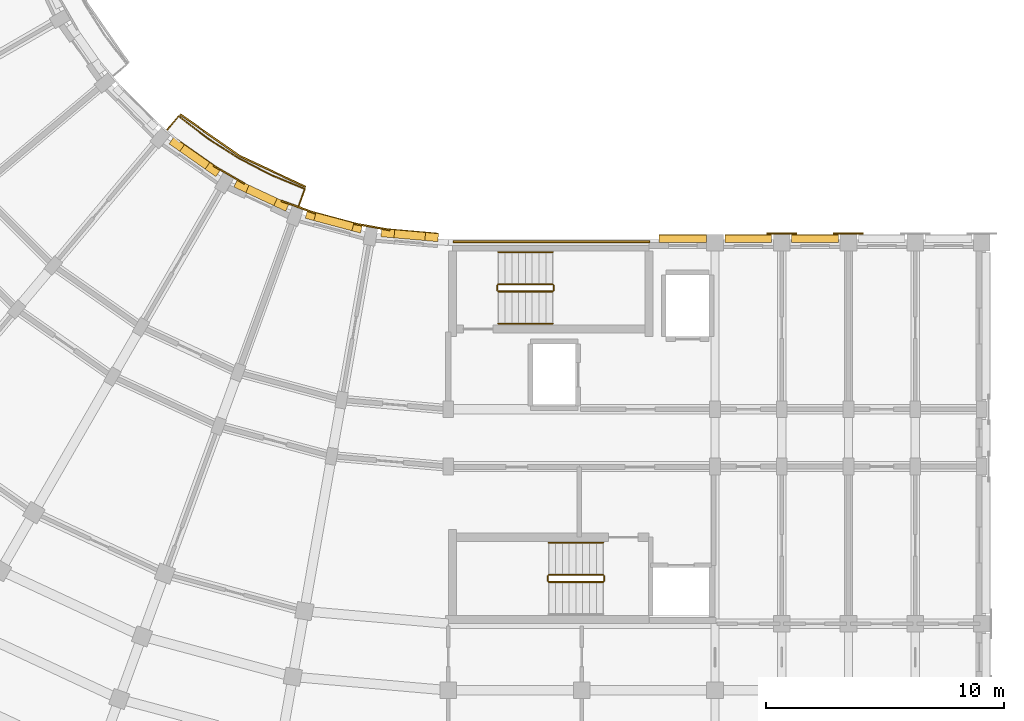
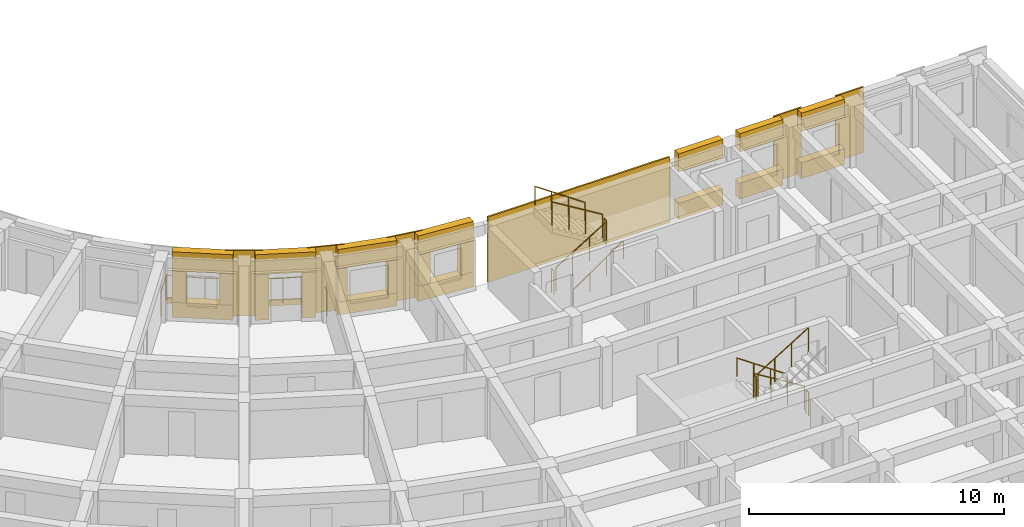
# One storey, part 42 of 57: 28 coverings, 12 railings.
"""IFC4 building model written with IfcOpenShell, lengths in metres."""

from ifc_helpers import new_model, si_unit, direction, frame, origin, origin_2d, place, context, subcontext, project, spatial, polyline, circle, outline, extrude, material, layer, layer_set, type_object, element, save


model = new_model("IFC4")

# Units and contexts
model_context = context("Model", 3, precision=1e-05, world=origin(), true_north=direction((0.0, 1.0)))
body_context = subcontext(model_context, "Body", "Model", "MODEL_VIEW")
ifc_project = project(units=[si_unit("LENGTHUNIT", "METRE"), si_unit("AREAUNIT", "SQUARE_METRE"), si_unit("VOLUMEUNIT", "CUBIC_METRE"), si_unit("PLANEANGLEUNIT", "RADIAN"), si_unit("MASSUNIT", "GRAM", prefix="KILO")], contexts=[model_context])

# Site, building, storey
site_placement = place(None, origin())
site = spatial("IfcSite", under=ifc_project, at=site_placement, CompositionType="ELEMENT")
building_placement = place(site_placement, origin())
building = spatial("IfcBuilding", under=site, at=building_placement, Name="Kiranvali Square Residences", CompositionType="ELEMENT")
storey_placement = place(building_placement, frame((0.0, 0.0, 18.14990234375)))
storey = spatial("IfcBuildingStorey", under=building, at=storey_placement, Name="L05", CompositionType="ELEMENT", Elevation=18.14990234375)

# Coverings
ifc_material_1 = material(Name="Carved Porbandar limestone classical entablature and cornice", Category="masonry")
ifc_layer_1 = layer(ifc_material_1, 0.06201171875)
ifc_layer_set_1 = layer_set([ifc_layer_1], Name="Carved Porbandar limestone classical entablature and cornice")
covering_type_1 = type_object("IfcCoveringType", Name="COV-CLAD-GBAL", PredefinedType="CLADDING", material=ifc_layer_set_1)
covering_1_placement = place(storey_placement, frame((0.0, 0.0, -0.219970703125)))
element("IfcCovering", 1, at=covering_1_placement, inside=storey, type_object=covering_type_1, Name="Block C L05 garden balcony limestone fascia 1", PredefinedType="CLADDING", context=body_context, shape_type="SweptSolid", body=[
    extrude(outline(polyline([(42.221435546875, 31.774169921875), (39.4599609375, 33.061767578125), (36.964111328125, 34.8095703125), (36.92041015625, 34.757568359375), (39.426025390625, 33.0029296875), (42.1982421875, 31.710205078125), (42.221435546875, 31.774169921875)])), origin(), (0.0, 0.0, 1.0), 0.27001953125),
])
ifc_material_2 = material(Name="Honed Porbandar limestone ashlar facade cladding", Category="masonry")
ifc_layer_2 = layer(ifc_material_2, 0.3798828125)
ifc_layer_set_2 = layer_set([ifc_layer_2], Name="Honed Porbandar limestone ashlar facade cladding")
covering_type_2 = type_object("IfcCoveringType", Name="COV-CLAD-JAMB", PredefinedType="CLADDING", material=ifc_layer_set_2)
covering_2_placement = place(storey_placement, frame((0.0, 0.0, 0.72216796875)))
element("IfcCovering", 2, at=covering_2_placement, inside=storey, type_object=covering_type_2, Name="L05 deep limestone window jamb reveal C-L05-GDN-00.L", PredefinedType="CLADDING", context=body_context, shape_type="SweptSolid", body=[
    extrude(outline(polyline([(47.791259765625, 29.777099609375), (47.244873046875, 29.824951171875), (47.21533203125, 29.486572265625), (47.76171875, 29.43896484375), (47.791259765625, 29.777099609375)])), origin(), (0.0, 0.0, 1.0), 1.5),
])
covering_3_placement = place(storey_placement, frame((0.0, 0.0, 0.72216796875)))
element("IfcCovering", 3, at=covering_3_placement, inside=storey, type_object=covering_type_2, Name="L05 deep limestone window jamb reveal C-L05-GDN-00.R", PredefinedType="CLADDING", context=body_context, shape_type="SweptSolid", body=[
    extrude(outline(polyline([(45.94970703125, 29.938232421875), (45.4033203125, 29.986083984375), (45.373779296875, 29.647705078125), (45.920166015625, 29.599853515625), (45.94970703125, 29.938232421875)])), origin(), (0.0, 0.0, 1.0), 1.5),
])
covering_4_placement = place(storey_placement, frame((0.0, 0.0, 0.6220703125)))
element("IfcCovering", 4, at=covering_4_placement, inside=storey, type_object=covering_type_2, Name="L05 deep limestone window jamb reveal C-L05-GDN-01.L", PredefinedType="CLADDING", context=body_context, shape_type="SweptSolid", body=[
    extrude(outline(polyline([(44.598388671875, 30.1279296875), (44.237548828125, 30.224609375), (44.149658203125, 29.896728515625), (44.510498046875, 29.800048828125), (44.598388671875, 30.1279296875)])), origin(), (0.0, 0.0, 1.0), 1.60009765625),
])
covering_5_placement = place(storey_placement, frame((0.0, 0.0, 0.6220703125)))
element("IfcCovering", 5, at=covering_5_placement, inside=storey, type_object=covering_type_2, Name="L05 deep limestone window jamb reveal C-L05-GDN-01.R", PredefinedType="CLADDING", context=body_context, shape_type="SweptSolid", body=[
    extrude(outline(polyline([(42.643798828125, 30.651611328125), (42.282958984375, 30.748291015625), (42.195068359375, 30.42041015625), (42.555908203125, 30.32373046875), (42.643798828125, 30.651611328125)])), origin(), (0.0, 0.0, 1.0), 1.60009765625),
])
covering_6_placement = place(storey_placement, origin())
element("IfcCovering", 6, at=covering_6_placement, inside=storey, type_object=covering_type_2, Name="L05 deep limestone window jamb reveal C-L05-GDN-02.L", PredefinedType="CLADDING", context=body_context, shape_type="SweptSolid", body=[
    extrude(outline(polyline([(41.514892578125, 31.02783203125), (41.017822265625, 31.259765625), (40.874267578125, 30.951904296875), (41.37158203125, 30.72021484375), (41.514892578125, 31.02783203125)])), origin(), (0.0, 0.0, 1.0), 2.18017578125),
])
covering_7_placement = place(storey_placement, origin())
element("IfcCovering", 7, at=covering_7_placement, inside=storey, type_object=covering_type_2, Name="L05 deep limestone window jamb reveal C-L05-GDN-02.R", PredefinedType="CLADDING", context=body_context, shape_type="SweptSolid", body=[
    extrude(outline(polyline([(39.839599609375, 31.80908203125), (39.342529296875, 32.041015625), (39.198974609375, 31.733154296875), (39.696044921875, 31.50146484375), (39.839599609375, 31.80908203125)])), origin(), (0.0, 0.0, 1.0), 2.18017578125),
])
covering_8_placement = place(storey_placement, frame((0.0, 0.0, 0.72216796875)))
element("IfcCovering", 8, at=covering_8_placement, inside=storey, type_object=covering_type_2, Name="L05 deep limestone window jamb reveal C-L05-GDN-03.L", PredefinedType="CLADDING", context=body_context, shape_type="SweptSolid", body=[
    extrude(outline(polyline([(38.634521484375, 32.44970703125), (38.185302734375, 32.76416015625), (37.990478515625, 32.486083984375), (38.43994140625, 32.171630859375), (38.634521484375, 32.44970703125)])), origin(), (0.0, 0.0, 1.0), 1.5),
])
covering_9_placement = place(storey_placement, frame((0.0, 0.0, 0.72216796875)))
element("IfcCovering", 9, at=covering_9_placement, inside=storey, type_object=covering_type_2, Name="L05 deep limestone window jamb reveal C-L05-GDN-03.R", PredefinedType="CLADDING", context=body_context, shape_type="SweptSolid", body=[
    extrude(outline(polyline([(37.120361328125, 33.509765625), (36.671142578125, 33.824462890625), (36.476318359375, 33.54638671875), (36.925537109375, 33.231689453125), (37.120361328125, 33.509765625)])), origin(), (0.0, 0.0, 1.0), 1.5),
])
ifc_layer_3 = layer(ifc_material_2, 0.06494140625)
ifc_layer_set_3 = layer_set([ifc_layer_3], Name="Honed Porbandar limestone ashlar facade cladding")
covering_type_3 = type_object("IfcCoveringType", Name="COV-CLAD-PIER", PredefinedType="CLADDING", material=ifc_layer_set_3)
covering_10_placement = place(storey_placement, frame((0.0, 0.0, 0.005126953125)))
element("IfcCovering", 10, at=covering_10_placement, inside=storey, type_object=covering_type_3, Name="Block C L05 garden stair limestone ashlar cladding", PredefinedType="CLADDING", context=body_context, shape_type="SweptSolid", body=[
    extrude(outline(polyline([(48.39990234375, 29.402099609375), (56.64990234375, 29.402099609375), (56.64990234375, 29.47998046875), (48.39990234375, 29.47998046875), (48.39990234375, 29.402099609375)])), origin(), (0.0, 0.0, 1.0), 3.139892578125),
])
ifc_layer_4 = layer(ifc_material_2, 0.050048828125)
ifc_layer_set_4 = layer_set([ifc_layer_4], Name="Honed Porbandar limestone ashlar facade cladding")
covering_type_4 = type_object("IfcCoveringType", Name="COV-CLAD-PIER-IN", PredefinedType="CLADDING", material=ifc_layer_set_4)
covering_11_placement = place(storey_placement, frame((0.0, 0.0, 0.005126953125)))
element("IfcCovering", 11, at=covering_11_placement, inside=storey, type_object=covering_type_4, Name="L05 Classical garden courtyard pilaster CLAD-PRIN-C-L05-A01", PredefinedType="CLADDING", context=body_context, shape_type="SweptSolid", body=[
    extrude(outline(polyline([(45.74658203125, 29.967041015625), (44.269287109375, 30.2275390625), (44.257568359375, 30.1611328125), (45.73486328125, 29.900634765625), (45.74658203125, 29.967041015625)])), origin(), (0.0, 0.0, 1.0), 3.139892578125),
])
covering_12_placement = place(storey_placement, frame((0.0, 0.0, 0.005126953125)))
element("IfcCovering", 12, at=covering_12_placement, inside=storey, type_object=covering_type_4, Name="L05 Classical garden courtyard pilaster CLAD-PRIN-C-L05-A02", PredefinedType="CLADDING", context=body_context, shape_type="SweptSolid", body=[
    extrude(outline(polyline([(42.61767578125, 30.670166015625), (41.208251953125, 31.18310546875), (41.18505859375, 31.11962890625), (42.5947265625, 30.606689453125), (42.61767578125, 30.670166015625)])), origin(), (0.0, 0.0, 1.0), 3.139892578125),
])
covering_13_placement = place(storey_placement, frame((0.0, 0.0, 0.005126953125)))
element("IfcCovering", 13, at=covering_13_placement, inside=storey, type_object=covering_type_4, Name="L05 Classical garden courtyard pilaster CLAD-PRIN-C-L05-A03", PredefinedType="CLADDING", context=body_context, shape_type="SweptSolid", body=[
    extrude(outline(polyline([(39.658447265625, 31.90576171875), (38.359375, 32.65576171875), (38.32568359375, 32.59716796875), (39.624755859375, 31.84716796875), (39.658447265625, 31.90576171875)])), origin(), (0.0, 0.0, 1.0), 3.139892578125),
])
covering_14_placement = place(storey_placement, frame((0.0, 0.0, 0.005126953125)))
element("IfcCovering", 14, at=covering_14_placement, inside=storey, type_object=covering_type_4, Name="L05 Classical limestone pilaster casing CLAD-PRA1I-C-L05-U140", PredefinedType="CLADDING", context=body_context, shape_type="SweptSolid", body=[
    extrude(outline(polyline([(61.570068359375, 29.75048828125), (62.830078125, 29.75048828125), (62.830078125, 29.818115234375), (61.570068359375, 29.818115234375), (61.570068359375, 29.75048828125)])), origin(), (0.0, 0.0, 1.0), 3.139892578125),
])
covering_15_placement = place(storey_placement, frame((0.0, 0.0, 0.005126953125)))
element("IfcCovering", 15, at=covering_15_placement, inside=storey, type_object=covering_type_4, Name="L05 Classical limestone pilaster casing CLAD-PRA1I-C-L05-U167", PredefinedType="CLADDING", context=body_context, shape_type="SweptSolid", body=[
    extrude(outline(polyline([(64.3701171875, 29.75048828125), (65.6298828125, 29.75048828125), (65.6298828125, 29.818115234375), (64.3701171875, 29.818115234375), (64.3701171875, 29.75048828125)])), origin(), (0.0, 0.0, 1.0), 3.139892578125),
])
ifc_layer_5 = layer(ifc_material_2, 0.360107421875)
ifc_layer_set_5 = layer_set([ifc_layer_5], Name="Honed Porbandar limestone ashlar facade cladding")
covering_type_5 = type_object("IfcCoveringType", Name="COV-CLAD-WALL", PredefinedType="CLADDING", material=ifc_layer_set_5)
covering_16_placement = place(storey_placement, frame((0.0, 0.0, 2.22216796875)))
element("IfcCovering", 16, at=covering_16_placement, inside=storey, type_object=covering_type_5, Name="L05 light limestone spandrel lintel C-L05-GDN-00", PredefinedType="CLADDING", context=body_context, shape_type="SweptSolid", body=[
    extrude(outline(polyline([(47.791259765625, 29.777099609375), (45.4033203125, 29.986083984375), (45.373779296875, 29.647705078125), (47.76171875, 29.43896484375), (47.791259765625, 29.777099609375)])), origin(), (0.0, 0.0, 1.0), 0.9228515625),
])
covering_17_placement = place(storey_placement, frame((0.0, 0.0, 2.22216796875)))
element("IfcCovering", 17, at=covering_17_placement, inside=storey, type_object=covering_type_5, Name="L05 light limestone spandrel lintel C-L05-GDN-01", PredefinedType="CLADDING", context=body_context, shape_type="SweptSolid", body=[
    extrude(outline(polyline([(44.598388671875, 30.1279296875), (42.282958984375, 30.748291015625), (42.195068359375, 30.42041015625), (44.510498046875, 29.800048828125), (44.598388671875, 30.1279296875)])), origin(), (0.0, 0.0, 1.0), 0.9228515625),
])
covering_18_placement = place(storey_placement, frame((0.0, 0.0, 2.18017578125)))
element("IfcCovering", 18, at=covering_18_placement, inside=storey, type_object=covering_type_5, Name="L05 light limestone spandrel lintel C-L05-GDN-02", PredefinedType="CLADDING", context=body_context, shape_type="SweptSolid", body=[
    extrude(outline(polyline([(41.514892578125, 31.02783203125), (39.342529296875, 32.041015625), (39.198974609375, 31.733154296875), (41.37158203125, 30.72021484375), (41.514892578125, 31.02783203125)])), origin(), (0.0, 0.0, 1.0), 0.96484375),
])
covering_19_placement = place(storey_placement, frame((0.0, 0.0, 2.22216796875)))
element("IfcCovering", 19, at=covering_19_placement, inside=storey, type_object=covering_type_5, Name="L05 light limestone spandrel lintel C-L05-GDN-03", PredefinedType="CLADDING", context=body_context, shape_type="SweptSolid", body=[
    extrude(outline(polyline([(38.634521484375, 32.44970703125), (36.671142578125, 33.824462890625), (36.476318359375, 33.54638671875), (38.43994140625, 32.171630859375), (38.634521484375, 32.44970703125)])), origin(), (0.0, 0.0, 1.0), 0.9228515625),
])
covering_20_placement = place(storey_placement, frame((0.0, 0.0, 2.272216796875)))
element("IfcCovering", 20, at=covering_20_placement, inside=storey, type_object=covering_type_5, Name="L05 light limestone spandrel lintel C-L05-A1IN-0", PredefinedType="CLADDING", context=body_context, shape_type="SweptSolid", body=[
    extrude(outline(polyline([(57.050048828125, 29.400390625), (59.050048828125, 29.400390625), (59.050048828125, 29.719970703125), (57.050048828125, 29.719970703125), (57.050048828125, 29.400390625)])), origin(), (0.0, 0.0, 1.0), 0.872802734375),
])
covering_21_placement = place(storey_placement, frame((0.0, 0.0, 0.005126953125)))
element("IfcCovering", 21, at=covering_21_placement, inside=storey, type_object=covering_type_5, Name="L05 limestone window sill apron C-L05-A1IN-0", PredefinedType="CLADDING", context=body_context, shape_type="SweptSolid", body=[
    extrude(outline(polyline([(57.050048828125, 29.400390625), (59.050048828125, 29.400390625), (59.050048828125, 29.75), (57.050048828125, 29.75), (57.050048828125, 29.400390625)])), origin(), (0.0, 0.0, 1.0), 0.76708984375),
])
covering_22_placement = place(storey_placement, frame((0.0, 0.0, 2.272216796875)))
element("IfcCovering", 22, at=covering_22_placement, inside=storey, type_object=covering_type_5, Name="L05 light limestone spandrel lintel C-L05-A1I-0", PredefinedType="CLADDING", context=body_context, shape_type="SweptSolid", body=[
    extrude(outline(polyline([(59.820068359375, 29.400390625), (61.780029296875, 29.400390625), (61.780029296875, 29.719970703125), (59.820068359375, 29.719970703125), (59.820068359375, 29.400390625)])), origin(), (0.0, 0.0, 1.0), 0.872802734375),
])
covering_23_placement = place(storey_placement, frame((0.0, 0.0, 0.005126953125)))
element("IfcCovering", 23, at=covering_23_placement, inside=storey, type_object=covering_type_5, Name="L05 limestone window sill apron C-L05-A1I-0", PredefinedType="CLADDING", context=body_context, shape_type="SweptSolid", body=[
    extrude(outline(polyline([(59.820068359375, 29.400390625), (61.780029296875, 29.400390625), (61.780029296875, 29.75), (59.820068359375, 29.75), (59.820068359375, 29.400390625)])), origin(), (0.0, 0.0, 1.0), 0.76708984375),
])
covering_24_placement = place(storey_placement, frame((0.0, 0.0, 2.272216796875)))
element("IfcCovering", 24, at=covering_24_placement, inside=storey, type_object=covering_type_5, Name="L05 light limestone spandrel lintel C-L05-A1I-1", PredefinedType="CLADDING", context=body_context, shape_type="SweptSolid", body=[
    extrude(outline(polyline([(62.6201171875, 29.400390625), (64.580078125, 29.400390625), (64.580078125, 29.719970703125), (62.6201171875, 29.719970703125), (62.6201171875, 29.400390625)])), origin(), (0.0, 0.0, 1.0), 0.872802734375),
])
covering_25_placement = place(storey_placement, frame((0.0, 0.0, 0.005126953125)))
element("IfcCovering", 25, at=covering_25_placement, inside=storey, type_object=covering_type_5, Name="L05 limestone window sill apron C-L05-A1I-1", PredefinedType="CLADDING", context=body_context, shape_type="SweptSolid", body=[
    extrude(outline(polyline([(62.6201171875, 29.400390625), (64.580078125, 29.400390625), (64.580078125, 29.75), (62.6201171875, 29.75), (62.6201171875, 29.400390625)])), origin(), (0.0, 0.0, 1.0), 0.76708984375),
])
ifc_layer_6 = layer(ifc_material_2, 0.2900390625)
ifc_layer_set_6 = layer_set([ifc_layer_6], Name="Honed Porbandar limestone ashlar facade cladding")
covering_type_6 = type_object("IfcCoveringType", Name="COV-CLAD-WALL-IN", PredefinedType="CLADDING", material=ifc_layer_set_6)
covering_26_placement = place(storey_placement, frame((0.0, 0.0, 0.005126953125)))
element("IfcCovering", 26, at=covering_26_placement, inside=storey, type_object=covering_type_6, Name="L05 limestone window sill apron C-L05-GDN-00", PredefinedType="CLADDING", context=body_context, shape_type="SweptSolid", body=[
    extrude(outline(polyline([(47.7939453125, 29.806884765625), (45.406005859375, 30.015869140625), (45.373779296875, 29.647705078125), (47.76171875, 29.43896484375), (47.7939453125, 29.806884765625)])), origin(), (0.0, 0.0, 1.0), 0.717041015625),
])
covering_27_placement = place(storey_placement, frame((0.0, 0.0, 0.005126953125)))
element("IfcCovering", 27, at=covering_27_placement, inside=storey, type_object=covering_type_6, Name="L05 limestone window sill apron C-L05-GDN-01", PredefinedType="CLADDING", context=body_context, shape_type="SweptSolid", body=[
    extrude(outline(polyline([(44.606201171875, 30.156982421875), (42.290771484375, 30.77734375), (42.195068359375, 30.42041015625), (44.510498046875, 29.800048828125), (44.606201171875, 30.156982421875)])), origin(), (0.0, 0.0, 1.0), 0.616943359375),
])
covering_28_placement = place(storey_placement, frame((0.0, 0.0, 0.005126953125)))
element("IfcCovering", 28, at=covering_28_placement, inside=storey, type_object=covering_type_6, Name="L05 limestone window sill apron C-L05-GDN-03", PredefinedType="CLADDING", context=body_context, shape_type="SweptSolid", body=[
    extrude(outline(polyline([(38.65185546875, 32.47412109375), (36.688232421875, 33.84912109375), (36.476318359375, 33.54638671875), (38.43994140625, 32.171630859375), (38.65185546875, 32.47412109375)])), origin(), (0.0, 0.0, 1.0), 0.717041015625),
])

# Railings
ifc_material_3 = material(Name="Powder-coated architectural bronze balustrade", Category="steel")
railing_type_1 = type_object("IfcRailingType", Name="RL-BAL-GOLD-1200", PredefinedType="BALUSTRADE", material=ifc_material_3)
railing_1_placement = place(storey_placement, frame((41.78369140625, 30.5712890625, 0.0)))
element("IfcRailing", 29, at=railing_1_placement, inside=storey, type_object=railing_type_1, Name="Block C L05 garden balcony gold balustrade 1", PredefinedType="BALUSTRADE", context=body_context, shape_type="SweptSolid", body=[
    extrude(circle(Radius=0.02392578125, at=origin_2d()), frame((0.0, 0.0, 1.17578125), z_axis=(0.341964618562, 0.939712828289, 0.0), x_axis=(-0.939712828289, 0.341964618562, 0.0)), (0.0, 0.0, 1.0), 1.150146484375),
    extrude(circle(Radius=0.02392578125, at=origin_2d()), frame((0.393310546875, 1.080810546875, 1.17578125), z_axis=(-0.923892883829, 0.382651197843, 0.0), x_axis=(-0.382651197843, -0.923892883829, 0.0)), (0.0, 0.0, 1.0), 1.536376953125),
    extrude(circle(Radius=0.02392578125, at=origin_2d()), frame((-1.026123046875, 1.668701171875, 1.17578125), z_axis=(-0.887029366154, 0.461713009976, 0.0), x_axis=(-0.461713009976, -0.887029366154, 0.0)), (0.0, 0.0, 1.0), 1.5361328125),
    extrude(circle(Radius=0.02392578125, at=origin_2d()), frame((-2.388671875, 2.3779296875, 1.17578125), z_axis=(-0.843386539688, 0.537307309343, 0.0), x_axis=(-0.537307309343, -0.843386539688, 0.0)), (0.0, 0.0, 1.0), 1.5361328125),
    extrude(circle(Radius=0.02392578125, at=origin_2d()), frame((-3.684326171875, 3.203369140625, 1.17578125), z_axis=(-0.793314680996, 0.608811807471, 0.0), x_axis=(-0.608811807471, -0.793314680996, 0.0)), (0.0, 0.0, 1.0), 1.536376953125),
    extrude(circle(Radius=0.02392578125, at=origin_2d()), frame((-4.903076171875, 4.138671875, 1.17578125), z_axis=(-0.642853454051, -0.765989188314, 0.0), x_axis=(0.765989188314, -0.642853454051, 0.0)), (0.0, 0.0, 1.0), 1.14990234375),
    extrude(circle(Radius=0.02099609375, at=origin_2d()), origin(), (0.0, 0.0, 1.0), 1.15185546875),
    extrude(circle(Radius=0.02099609375, at=origin_2d()), frame((0.393310546875, 1.080810546875, 0.0)), (0.0, 0.0, 1.0), 1.15185546875),
    extrude(circle(Radius=0.02099609375, at=origin_2d()), frame((-0.31640625, 1.374755859375, 0.0)), (0.0, 0.0, 1.0), 1.15185546875),
    extrude(circle(Radius=0.02099609375, at=origin_2d()), frame((-1.026123046875, 1.668701171875, 0.0)), (0.0, 0.0, 1.0), 1.15185546875),
    extrude(circle(Radius=0.02099609375, at=origin_2d()), frame((-1.70751953125, 2.0234375, 0.0)), (0.0, 0.0, 1.0), 1.15185546875),
    extrude(circle(Radius=0.02099609375, at=origin_2d()), frame((-2.388671875, 2.3779296875, 0.0)), (0.0, 0.0, 1.0), 1.15185546875),
    extrude(circle(Radius=0.02099609375, at=origin_2d()), frame((-3.03662109375, 2.79052734375, 0.0)), (0.0, 0.0, 1.0), 1.15185546875),
    extrude(circle(Radius=0.02099609375, at=origin_2d()), frame((-3.684326171875, 3.203369140625, 0.0)), (0.0, 0.0, 1.0), 1.15185546875),
    extrude(circle(Radius=0.02099609375, at=origin_2d()), frame((-4.293701171875, 3.6708984375, 0.0)), (0.0, 0.0, 1.0), 1.15185546875),
    extrude(circle(Radius=0.02099609375, at=origin_2d()), frame((-4.903076171875, 4.138671875, 0.0)), (0.0, 0.0, 1.0), 1.15185546875),
    extrude(circle(Radius=0.02099609375, at=origin_2d()), frame((-5.642333984375, 3.2578125, 0.0)), (0.0, 0.0, 1.0), 1.15185546875),
])
ifc_material_4 = material(Name="Brushed stainless steel tubular handrail", Category="steel")
railing_type_2 = type_object("IfcRailingType", Name="RL-HANDRAIL-900", PredefinedType="HANDRAIL", material=ifc_material_4)
railing_2_placement = place(storey_placement, frame((54.699951171875, 16.800048828125, 0.175048828125)))
element("IfcRailing", 30, at=railing_2_placement, inside=storey, type_object=railing_type_2, Name="L05 ST-C1 stair handrail 1", PredefinedType="HANDRAIL", context=body_context, shape_type="SweptSolid", body=[
    extrude(circle(Radius=0.02392578125, at=origin_2d()), frame((0.0, 0.0, 0.8759765625), z_axis=(-0.82278801735, 0.0, 0.568348377763), x_axis=(0.0, -1.0, 0.0)), (0.0, 0.0, 1.0), 2.77099609375),
    extrude(circle(Radius=0.02099609375, at=origin_2d()), origin(), (0.0, 0.0, 1.0), 0.851806640625),
    extrude(circle(Radius=0.02099609375, at=origin_2d()), frame((-0.760009765625, 0.0, 0.52490234375)), (0.0, 0.0, 1.0), 0.851806640625),
    extrude(circle(Radius=0.02099609375, at=origin_2d()), frame((-1.52001953125, 0.0, 1.050048828125)), (0.0, 0.0, 1.0), 0.851806640625),
    extrude(circle(Radius=0.02099609375, at=origin_2d()), frame((-2.280029296875, 0.0, 1.574951171875)), (0.0, 0.0, 1.0), 0.851806640625),
])
railing_3_placement = place(storey_placement, frame((50.300048828125, 26.0, 0.175048828125)))
element("IfcRailing", 31, at=railing_3_placement, inside=storey, type_object=railing_type_2, Name="L05 ST-C2 stair handrail 1", PredefinedType="HANDRAIL", context=body_context, shape_type="SweptSolid", body=[
    extrude(circle(Radius=0.02392578125, at=origin_2d()), frame((0.0, 0.0, 0.8759765625), z_axis=(0.82278801735, 0.0, 0.568348377763), x_axis=(0.0, 1.0, 0.0)), (0.0, 0.0, 1.0), 2.77099609375),
    extrude(circle(Radius=0.02099609375, at=origin_2d()), origin(), (0.0, 0.0, 1.0), 0.851806640625),
    extrude(circle(Radius=0.02099609375, at=origin_2d()), frame((0.760009765625, 0.0, 0.52490234375)), (0.0, 0.0, 1.0), 0.851806640625),
    extrude(circle(Radius=0.02099609375, at=origin_2d()), frame((1.52001953125, 0.0, 1.050048828125)), (0.0, 0.0, 1.0), 0.851806640625),
    extrude(circle(Radius=0.02099609375, at=origin_2d()), frame((2.280029296875, 0.0, 1.574951171875)), (0.0, 0.0, 1.0), 0.851806640625),
])
railing_4_placement = place(storey_placement, frame((52.580078125, 29.0, 1.75)))
element("IfcRailing", 32, at=railing_4_placement, inside=storey, type_object=railing_type_2, Name="L05 ST-C2 stair handrail 2", PredefinedType="HANDRAIL", context=body_context, shape_type="SweptSolid", body=[
    extrude(circle(Radius=0.02392578125, at=origin_2d()), frame((0.0, 0.0, 0.8759765625), z_axis=(-0.82274681792, 0.0, 0.568408016835), x_axis=(0.0, -1.0, 0.0)), (0.0, 0.0, 1.0), 2.771240234375),
    extrude(circle(Radius=0.02099609375, at=origin_2d()), origin(), (0.0, 0.0, 1.0), 0.851806640625),
    extrude(circle(Radius=0.02099609375, at=origin_2d()), frame((-0.760009765625, 0.0, 0.525146484375)), (0.0, 0.0, 1.0), 0.851806640625),
    extrude(circle(Radius=0.02099609375, at=origin_2d()), frame((-1.52001953125, 0.0, 1.050048828125)), (0.0, 0.0, 1.0), 0.851806640625),
    extrude(circle(Radius=0.02099609375, at=origin_2d()), frame((-2.280029296875, 0.0, 1.5751953125)), (0.0, 0.0, 1.0), 0.851806640625),
])
railing_type_3 = type_object("IfcRailingType", Name="RL-ST-GUARD-1200", PredefinedType="GUARDRAIL", material=ifc_material_3)
railing_5_placement = place(storey_placement, frame((54.699951171875, 15.449951171875, 0.175048828125)))
element("IfcRailing", 33, at=railing_5_placement, inside=storey, type_object=railing_type_3, Name="L05 ST-C1 stair guard 1", PredefinedType="GUARDRAIL", context=body_context, shape_type="SweptSolid", body=[
    extrude(circle(Radius=0.02392578125, at=origin_2d()), frame((0.0, 0.0, 1.1259765625), z_axis=(-0.852149810458, 0.0, 0.523297908018), x_axis=(0.0, -1.0, 0.0)), (0.0, 0.0, 1.0), 2.675537109375),
    extrude(circle(Radius=0.02099609375, at=origin_2d()), origin(), (0.0, 0.0, 1.0), 1.101806640625),
    extrude(circle(Radius=0.02099609375, at=origin_2d()), frame((-0.760009765625, 0.0, 0.466796875)), (0.0, 0.0, 1.0), 1.101806640625),
    extrude(circle(Radius=0.02099609375, at=origin_2d()), frame((-1.52001953125, 0.0, 0.933349609375)), (0.0, 0.0, 1.0), 1.101806640625),
    extrude(circle(Radius=0.02099609375, at=origin_2d()), frame((-2.280029296875, 0.0, 1.400146484375)), (0.0, 0.0, 1.0), 1.101806640625),
])
railing_6_placement = place(storey_placement, frame((52.3701171875, 15.39990234375, 1.5751953125)))
element("IfcRailing", 34, at=railing_6_placement, inside=storey, type_object=railing_type_3, Name="L05 ST-C1 stair guard 2", PredefinedType="GUARDRAIL", context=body_context, shape_type="SweptSolid", body=[
    extrude(circle(Radius=0.02392578125, at=origin_2d()), frame((0.0, 0.0, 1.1259765625), z_axis=(0.0, -1.0, 0.0), x_axis=(1.0, 0.0, 0.0)), (0.0, 0.0, 1.0), 0.199951171875),
    extrude(circle(Radius=0.02099609375, at=origin_2d()), origin(), (0.0, 0.0, 1.0), 1.101806640625),
    extrude(circle(Radius=0.02099609375, at=origin_2d()), frame((0.0, -0.199951171875, 0.0)), (0.0, 0.0, 1.0), 1.101806640625),
])
railing_7_placement = place(storey_placement, frame((52.419921875, 15.14990234375, 1.75)))
element("IfcRailing", 35, at=railing_7_placement, inside=storey, type_object=railing_type_3, Name="L05 ST-C1 stair guard 3", PredefinedType="GUARDRAIL", context=body_context, shape_type="SweptSolid", body=[
    extrude(circle(Radius=0.02392578125, at=origin_2d()), frame((0.0, 0.0, 1.1259765625), z_axis=(0.852149810458, 0.0, 0.523297908018), x_axis=(0.0, 1.0, 0.0)), (0.0, 0.0, 1.0), 2.675537109375),
    extrude(circle(Radius=0.02099609375, at=origin_2d()), origin(), (0.0, 0.0, 1.0), 1.101806640625),
    extrude(circle(Radius=0.02099609375, at=origin_2d()), frame((0.760009765625, 0.0, 0.466796875)), (0.0, 0.0, 1.0), 1.101806640625),
    extrude(circle(Radius=0.02099609375, at=origin_2d()), frame((1.52001953125, 0.0, 0.933349609375)), (0.0, 0.0, 1.0), 1.101806640625),
    extrude(circle(Radius=0.02099609375, at=origin_2d()), frame((2.280029296875, 0.0, 1.400146484375)), (0.0, 0.0, 1.0), 1.101806640625),
])
railing_8_placement = place(storey_placement, frame((54.75, 15.39990234375, 0.0)))
element("IfcRailing", 36, at=railing_8_placement, inside=storey, type_object=railing_type_3, Name="L05 ST-C1 stair guard 4", PredefinedType="GUARDRAIL", context=body_context, shape_type="SweptSolid", body=[
    extrude(circle(Radius=0.02392578125, at=origin_2d()), frame((0.0, 0.0, 1.1259765625), z_axis=(0.0, -1.0, 0.0), x_axis=(1.0, 0.0, 0.0)), (0.0, 0.0, 1.0), 0.199951171875),
    extrude(circle(Radius=0.02099609375, at=origin_2d()), origin(), (0.0, 0.0, 1.0), 1.101806640625),
    extrude(circle(Radius=0.02099609375, at=origin_2d()), frame((0.0, -0.199951171875, 0.0)), (0.0, 0.0, 1.0), 1.101806640625),
])
railing_9_placement = place(storey_placement, frame((50.300048828125, 27.35009765625, 0.175048828125)))
element("IfcRailing", 37, at=railing_9_placement, inside=storey, type_object=railing_type_3, Name="L05 ST-C2 stair guard 1", PredefinedType="GUARDRAIL", context=body_context, shape_type="SweptSolid", body=[
    extrude(circle(Radius=0.02392578125, at=origin_2d()), frame((0.0, 0.0, 1.1259765625), z_axis=(0.852149810458, 0.0, 0.523297908018), x_axis=(0.0, 1.0, 0.0)), (0.0, 0.0, 1.0), 2.675537109375),
    extrude(circle(Radius=0.02099609375, at=origin_2d()), origin(), (0.0, 0.0, 1.0), 1.101806640625),
    extrude(circle(Radius=0.02099609375, at=origin_2d()), frame((0.760009765625, 0.0, 0.466796875)), (0.0, 0.0, 1.0), 1.101806640625),
    extrude(circle(Radius=0.02099609375, at=origin_2d()), frame((1.52001953125, 0.0, 0.933349609375)), (0.0, 0.0, 1.0), 1.101806640625),
    extrude(circle(Radius=0.02099609375, at=origin_2d()), frame((2.280029296875, 0.0, 1.400146484375)), (0.0, 0.0, 1.0), 1.101806640625),
])
railing_10_placement = place(storey_placement, frame((52.6298828125, 27.39990234375, 1.5751953125)))
element("IfcRailing", 38, at=railing_10_placement, inside=storey, type_object=railing_type_3, Name="L05 ST-C2 stair guard 2", PredefinedType="GUARDRAIL", context=body_context, shape_type="SweptSolid", body=[
    extrude(circle(Radius=0.02392578125, at=origin_2d()), frame((0.0, 0.0, 1.1259765625), z_axis=(0.0, 1.0, 0.0), x_axis=(-1.0, 0.0, 0.0)), (0.0, 0.0, 1.0), 0.2001953125),
    extrude(circle(Radius=0.02099609375, at=origin_2d()), origin(), (0.0, 0.0, 1.0), 1.101806640625),
    extrude(circle(Radius=0.02099609375, at=origin_2d()), frame((0.0, 0.2001953125, 0.0)), (0.0, 0.0, 1.0), 1.101806640625),
])
railing_11_placement = place(storey_placement, frame((52.580078125, 27.64990234375, 1.75)))
element("IfcRailing", 39, at=railing_11_placement, inside=storey, type_object=railing_type_3, Name="L05 ST-C2 stair guard 3", PredefinedType="GUARDRAIL", context=body_context, shape_type="SweptSolid", body=[
    extrude(circle(Radius=0.02392578125, at=origin_2d()), frame((0.0, 0.0, 1.1259765625), z_axis=(-0.852149810458, 0.0, 0.523297908018), x_axis=(0.0, -1.0, 0.0)), (0.0, 0.0, 1.0), 2.675537109375),
    extrude(circle(Radius=0.02099609375, at=origin_2d()), origin(), (0.0, 0.0, 1.0), 1.101806640625),
    extrude(circle(Radius=0.02099609375, at=origin_2d()), frame((-0.760009765625, 0.0, 0.466796875)), (0.0, 0.0, 1.0), 1.101806640625),
    extrude(circle(Radius=0.02099609375, at=origin_2d()), frame((-1.52001953125, 0.0, 0.933349609375)), (0.0, 0.0, 1.0), 1.101806640625),
    extrude(circle(Radius=0.02099609375, at=origin_2d()), frame((-2.280029296875, 0.0, 1.400146484375)), (0.0, 0.0, 1.0), 1.101806640625),
])
railing_12_placement = place(storey_placement, frame((50.25, 27.39990234375, 0.0)))
element("IfcRailing", 40, at=railing_12_placement, inside=storey, type_object=railing_type_3, Name="L05 ST-C2 stair guard 4", PredefinedType="GUARDRAIL", context=body_context, shape_type="SweptSolid", body=[
    extrude(circle(Radius=0.02392578125, at=origin_2d()), frame((0.0, 0.0, 1.1259765625), z_axis=(0.0, 1.0, 0.0), x_axis=(-1.0, 0.0, 0.0)), (0.0, 0.0, 1.0), 0.2001953125),
    extrude(circle(Radius=0.02099609375, at=origin_2d()), origin(), (0.0, 0.0, 1.0), 1.101806640625),
    extrude(circle(Radius=0.02099609375, at=origin_2d()), frame((0.0, 0.2001953125, 0.0)), (0.0, 0.0, 1.0), 1.101806640625),
])

save(model, "model.ifc")
